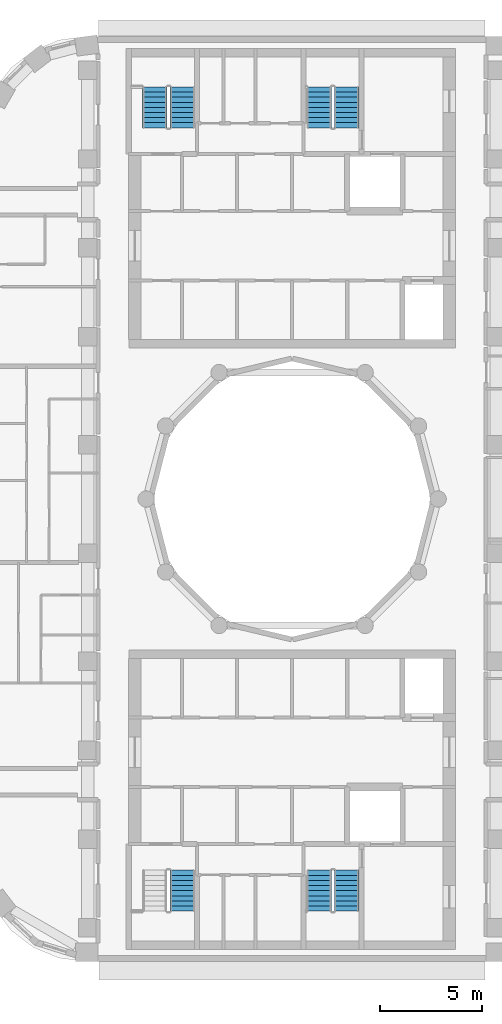
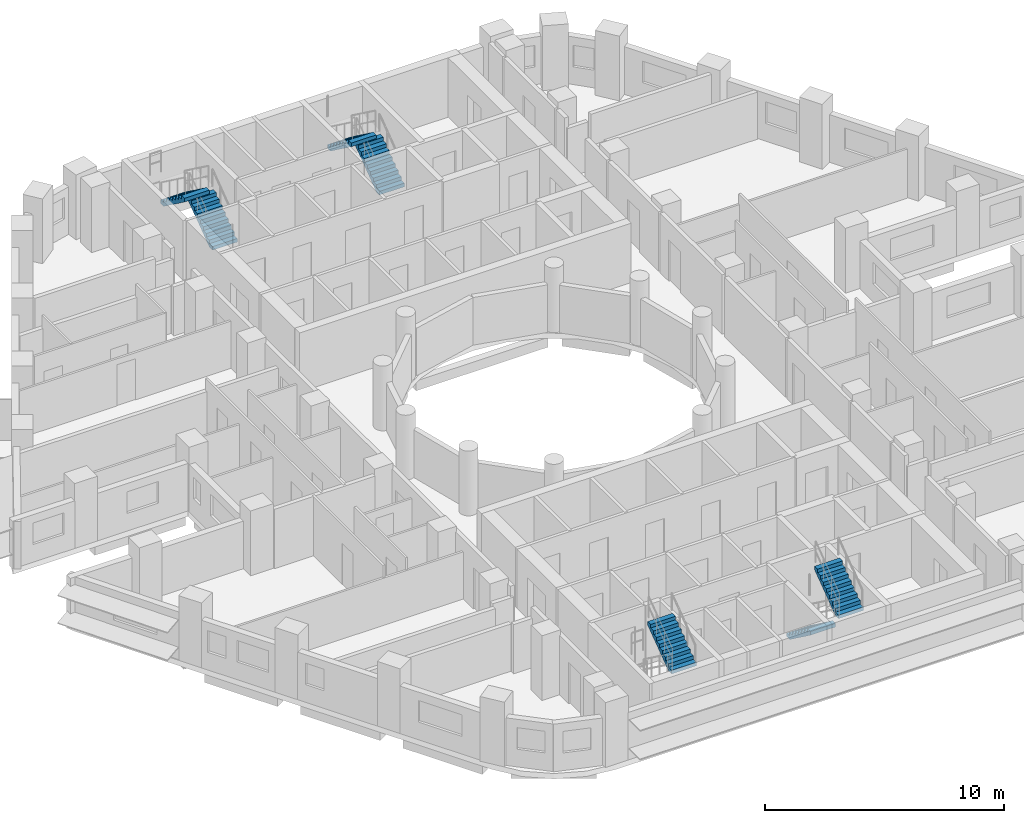
# One storey, part 9 of 13: 7 stair flights, 4 elements without a shape of their own.
"""IFC4 building model written with IfcOpenShell, lengths in metres."""

from ifc_helpers import new_model, si_unit, direction, frame, origin, place, context, subcontext, project, spatial, polyline, outline, extrude, material, type_object, element, aggregate, save


model = new_model("IFC4")

# Units and contexts
model_context = context("Model", 3, precision=1e-05, world=origin(), true_north=direction((0.0, 1.0)))
body_context = subcontext(model_context, "Body", "Model", "MODEL_VIEW")
ifc_project = project(units=[si_unit("LENGTHUNIT", "METRE"), si_unit("AREAUNIT", "SQUARE_METRE"), si_unit("VOLUMEUNIT", "CUBIC_METRE"), si_unit("PLANEANGLEUNIT", "RADIAN"), si_unit("MASSUNIT", "GRAM", prefix="KILO")], contexts=[model_context])

# Site, building, storey
site_placement = place(None, origin())
site = spatial("IfcSite", under=ifc_project, at=site_placement, CompositionType="ELEMENT")
building_placement = place(site_placement, origin())
building = spatial("IfcBuilding", under=site, at=building_placement, Name="Nakaniwa Court", CompositionType="ELEMENT")
storey_placement = place(building_placement, frame((0.0, 0.0, 242.699951171875)))
storey = spatial("IfcBuildingStorey", under=building, at=storey_placement, Name="L63", CompositionType="ELEMENT", Elevation=242.699951171875)

# Stair, stair flights
ifc_material = material(Name="Concrete C80/100", Category="concrete")
stair_type = type_object("IfcStairType", Name="Dog leg stair 1200 wide 18 risers", PredefinedType="HALF_TURN_STAIR", material=ifc_material)
stair_1_placement = place(storey_placement, origin())
stair_1 = element("IfcStair", 1, at=stair_1_placement, inside=storey, type_object=stair_type, Name="L63 Stair ST1", PredefinedType="HALF_TURN_STAIR")
stair_flight_type = type_object("IfcStairFlightType", Name="Stair flight 1200 wide 9 risers", PredefinedType="STRAIGHT", material=ifc_material)
stair_flight_1_placement = place(storey_placement, frame((74.625, 98.175048828125, 0.0), z_axis=(0.0, 0.0, 1.0), x_axis=(0.0, 1.0, 0.0)))
stair_flight_1 = element("IfcStairFlight", 2, at=stair_flight_1_placement, type_object=stair_flight_type, Name="ST1 flight 1", NumberOfRisers=9, NumberOfTreads=8, PredefinedType="STRAIGHT", RiserHeight=0.183333333, TreadLength=0.25, context=body_context, shape_type="SweptSolid", body=[
    extrude(outline(polyline([(0.0, 0.0), (0.0, 0.026123046875), (0.0, 0.052490234375), (0.0, 0.07861328125), (0.0, 0.104736328125), (0.0, 0.130859375), (0.0, 0.1572265625), (0.0, 0.183349609375), (0.25, 0.183349609375), (0.25, 0.36669921875), (0.5, 0.36669921875), (0.5, 0.550048828125), (0.75, 0.550048828125), (0.75, 0.7333984375), (1.0, 0.7333984375), (1.0, 0.916748046875), (1.25, 0.916748046875), (1.25, 1.10009765625), (1.5, 1.10009765625), (1.5, 1.283447265625), (1.75, 1.283447265625), (1.75, 1.466552734375), (2.0, 1.466552734375), (2.0, 1.64990234375), (2.0, 1.59716796875), (2.0, 1.54443359375), (2.0, 1.49169921875), (2.0, 1.43896484375), (2.0, 1.38623046875), (2.0, 1.33349609375), (2.0, 1.28076171875), (0.25341796875, 0.0), (0.0, 0.0)])), frame((0.0, 0.60009765625, 0.0), z_axis=(0.0, -1.0, 0.0), x_axis=(1.0, 0.0, 0.0)), (0.0, 0.0, 1.0), 1.199951171875),
])
stair_flight_2_placement = place(storey_placement, frame((73.27490234375, 100.175048828125, 1.650146484375), z_axis=(0.0, 0.0, 1.0), x_axis=(0.0, -1.0, 0.0)))
stair_flight_2 = element("IfcStairFlight", 3, at=stair_flight_2_placement, type_object=stair_flight_type, Name="ST1 flight 2", NumberOfRisers=9, NumberOfTreads=8, PredefinedType="STRAIGHT", RiserHeight=0.183333333, TreadLength=0.25, context=body_context, shape_type="SweptSolid", body=[
    extrude(outline(polyline([(0.0, 0.0), (0.0, 0.026123046875), (0.0, 0.052490234375), (0.0, 0.07861328125), (0.0, 0.104736328125), (0.0, 0.130859375), (0.0, 0.1572265625), (0.0, 0.183349609375), (0.25, 0.183349609375), (0.25, 0.36669921875), (0.5, 0.36669921875), (0.5, 0.550048828125), (0.75, 0.550048828125), (0.75, 0.7333984375), (1.0, 0.7333984375), (1.0, 0.916748046875), (1.25, 0.916748046875), (1.25, 1.10009765625), (1.5, 1.10009765625), (1.5, 1.283447265625), (1.75, 1.283447265625), (1.75, 1.466552734375), (2.0, 1.466552734375), (2.0, 1.64990234375), (2.0, 1.59716796875), (2.0, 1.54443359375), (2.0, 1.49169921875), (2.0, 1.43896484375), (2.0, 1.38623046875), (2.0, 1.33349609375), (2.0, 1.28076171875), (0.25341796875, 0.0), (0.0, 0.0)])), frame((0.0, 0.60009765625, 0.0), z_axis=(0.0, -1.0, 0.0), x_axis=(1.0, 0.0, 0.0)), (0.0, 0.0, 1.0), 1.199951171875),
])
aggregate(stair_1, [stair_flight_1, stair_flight_2])

stair_2_placement = place(storey_placement, origin())
stair_2 = element("IfcStair", 4, at=stair_2_placement, inside=storey, type_object=stair_type, Name="L63 Stair ST2", PredefinedType="HALF_TURN_STAIR")
stair_flight_3_placement = place(storey_placement, frame((82.675048828125, 98.175048828125, 0.0), z_axis=(0.0, 0.0, 1.0), x_axis=(0.0, 1.0, 0.0)))
stair_flight_3 = element("IfcStairFlight", 5, at=stair_flight_3_placement, type_object=stair_flight_type, Name="ST2 flight 1", NumberOfRisers=9, NumberOfTreads=8, PredefinedType="STRAIGHT", RiserHeight=0.183333333, TreadLength=0.25, context=body_context, shape_type="SweptSolid", body=[
    extrude(outline(polyline([(0.0, 0.0), (0.0, 0.026123046875), (0.0, 0.052490234375), (0.0, 0.07861328125), (0.0, 0.104736328125), (0.0, 0.130859375), (0.0, 0.1572265625), (0.0, 0.183349609375), (0.25, 0.183349609375), (0.25, 0.36669921875), (0.5, 0.36669921875), (0.5, 0.550048828125), (0.75, 0.550048828125), (0.75, 0.7333984375), (1.0, 0.7333984375), (1.0, 0.916748046875), (1.25, 0.916748046875), (1.25, 1.10009765625), (1.5, 1.10009765625), (1.5, 1.283447265625), (1.75, 1.283447265625), (1.75, 1.466552734375), (2.0, 1.466552734375), (2.0, 1.64990234375), (2.0, 1.59716796875), (2.0, 1.54443359375), (2.0, 1.49169921875), (2.0, 1.43896484375), (2.0, 1.38623046875), (2.0, 1.33349609375), (2.0, 1.28076171875), (0.25341796875, 0.0), (0.0, 0.0)])), frame((0.0, 0.60009765625, 0.0), z_axis=(0.0, -1.0, 0.0), x_axis=(1.0, 0.0, 0.0)), (0.0, 0.0, 1.0), 1.199951171875),
])
stair_flight_4_placement = place(storey_placement, frame((81.324951171875, 100.175048828125, 1.650146484375), z_axis=(0.0, 0.0, 1.0), x_axis=(0.0, -1.0, 0.0)))
stair_flight_4 = element("IfcStairFlight", 6, at=stair_flight_4_placement, type_object=stair_flight_type, Name="ST2 flight 2", NumberOfRisers=9, NumberOfTreads=8, PredefinedType="STRAIGHT", RiserHeight=0.183333333, TreadLength=0.25, context=body_context, shape_type="SweptSolid", body=[
    extrude(outline(polyline([(0.0, 0.0), (0.0, 0.026123046875), (0.0, 0.052490234375), (0.0, 0.07861328125), (0.0, 0.104736328125), (0.0, 0.130859375), (0.0, 0.1572265625), (0.0, 0.183349609375), (0.25, 0.183349609375), (0.25, 0.36669921875), (0.5, 0.36669921875), (0.5, 0.550048828125), (0.75, 0.550048828125), (0.75, 0.7333984375), (1.0, 0.7333984375), (1.0, 0.916748046875), (1.25, 0.916748046875), (1.25, 1.10009765625), (1.5, 1.10009765625), (1.5, 1.283447265625), (1.75, 1.283447265625), (1.75, 1.466552734375), (2.0, 1.466552734375), (2.0, 1.64990234375), (2.0, 1.59716796875), (2.0, 1.54443359375), (2.0, 1.49169921875), (2.0, 1.43896484375), (2.0, 1.38623046875), (2.0, 1.33349609375), (2.0, 1.28076171875), (0.25341796875, 0.0), (0.0, 0.0)])), frame((0.0, 0.60009765625, 0.0), z_axis=(0.0, -1.0, 0.0), x_axis=(1.0, 0.0, 0.0)), (0.0, 0.0, 1.0), 1.199951171875),
])
aggregate(stair_2, [stair_flight_3, stair_flight_4])

# Stair, stair flight
stair_3_placement = place(storey_placement, origin())
stair_3 = element("IfcStair", 7, at=stair_3_placement, inside=storey, type_object=stair_type, Name="L63 Stair ST3", PredefinedType="HALF_TURN_STAIR")
stair_flight_5_placement = place(storey_placement, frame((74.625, 59.824951171875, 1.650146484375), z_axis=(0.0, 0.0, 1.0), x_axis=(0.0, 1.0, 0.0)))
stair_flight_5 = element("IfcStairFlight", 8, at=stair_flight_5_placement, type_object=stair_flight_type, Name="ST3 flight 2", NumberOfRisers=9, NumberOfTreads=8, PredefinedType="STRAIGHT", RiserHeight=0.183333333, TreadLength=0.25, context=body_context, shape_type="SweptSolid", body=[
    extrude(outline(polyline([(0.0, 0.0), (0.0, 0.026123046875), (0.0, 0.052490234375), (0.0, 0.07861328125), (0.0, 0.104736328125), (0.0, 0.130859375), (0.0, 0.1572265625), (0.0, 0.183349609375), (0.25, 0.183349609375), (0.25, 0.36669921875), (0.5, 0.36669921875), (0.5, 0.550048828125), (0.75, 0.550048828125), (0.75, 0.7333984375), (1.0, 0.7333984375), (1.0, 0.916748046875), (1.25, 0.916748046875), (1.25, 1.10009765625), (1.5, 1.10009765625), (1.5, 1.283447265625), (1.75, 1.283447265625), (1.75, 1.466552734375), (2.0, 1.466552734375), (2.0, 1.64990234375), (2.0, 1.59716796875), (2.0, 1.54443359375), (2.0, 1.49169921875), (2.0, 1.43896484375), (2.0, 1.38623046875), (2.0, 1.33349609375), (2.0, 1.28076171875), (0.25341796875, 0.0), (0.0, 0.0)])), frame((0.0, 0.60009765625, 0.0), z_axis=(0.0, -1.0, 0.0), x_axis=(1.0, 0.0, 0.0)), (0.0, 0.0, 1.0), 1.199951171875),
])
aggregate(stair_3, [stair_flight_5])

# Stair, stair flights
stair_4_placement = place(storey_placement, origin())
stair_4 = element("IfcStair", 9, at=stair_4_placement, inside=storey, type_object=stair_type, Name="L63 Stair ST4", PredefinedType="HALF_TURN_STAIR")
stair_flight_6_placement = place(storey_placement, frame((81.324951171875, 61.824951171875, 0.0), z_axis=(0.0, 0.0, 1.0), x_axis=(0.0, -1.0, 0.0)))
stair_flight_6 = element("IfcStairFlight", 10, at=stair_flight_6_placement, type_object=stair_flight_type, Name="ST4 flight 1", NumberOfRisers=9, NumberOfTreads=8, PredefinedType="STRAIGHT", RiserHeight=0.183333333, TreadLength=0.25, context=body_context, shape_type="SweptSolid", body=[
    extrude(outline(polyline([(0.0, 0.0), (0.0, 0.026123046875), (0.0, 0.052490234375), (0.0, 0.07861328125), (0.0, 0.104736328125), (0.0, 0.130859375), (0.0, 0.1572265625), (0.0, 0.183349609375), (0.25, 0.183349609375), (0.25, 0.36669921875), (0.5, 0.36669921875), (0.5, 0.550048828125), (0.75, 0.550048828125), (0.75, 0.7333984375), (1.0, 0.7333984375), (1.0, 0.916748046875), (1.25, 0.916748046875), (1.25, 1.10009765625), (1.5, 1.10009765625), (1.5, 1.283447265625), (1.75, 1.283447265625), (1.75, 1.466552734375), (2.0, 1.466552734375), (2.0, 1.64990234375), (2.0, 1.59716796875), (2.0, 1.54443359375), (2.0, 1.49169921875), (2.0, 1.43896484375), (2.0, 1.38623046875), (2.0, 1.33349609375), (2.0, 1.28076171875), (0.25341796875, 0.0), (0.0, 0.0)])), frame((0.0, 0.60009765625, 0.0), z_axis=(0.0, -1.0, 0.0), x_axis=(1.0, 0.0, 0.0)), (0.0, 0.0, 1.0), 1.199951171875),
])
stair_flight_7_placement = place(storey_placement, frame((82.675048828125, 59.824951171875, 1.650146484375), z_axis=(0.0, 0.0, 1.0), x_axis=(0.0, 1.0, 0.0)))
stair_flight_7 = element("IfcStairFlight", 11, at=stair_flight_7_placement, type_object=stair_flight_type, Name="ST4 flight 2", NumberOfRisers=9, NumberOfTreads=8, PredefinedType="STRAIGHT", RiserHeight=0.183333333, TreadLength=0.25, context=body_context, shape_type="SweptSolid", body=[
    extrude(outline(polyline([(0.0, 0.0), (0.0, 0.026123046875), (0.0, 0.052490234375), (0.0, 0.07861328125), (0.0, 0.104736328125), (0.0, 0.130859375), (0.0, 0.1572265625), (0.0, 0.183349609375), (0.25, 0.183349609375), (0.25, 0.36669921875), (0.5, 0.36669921875), (0.5, 0.550048828125), (0.75, 0.550048828125), (0.75, 0.7333984375), (1.0, 0.7333984375), (1.0, 0.916748046875), (1.25, 0.916748046875), (1.25, 1.10009765625), (1.5, 1.10009765625), (1.5, 1.283447265625), (1.75, 1.283447265625), (1.75, 1.466552734375), (2.0, 1.466552734375), (2.0, 1.64990234375), (2.0, 1.59716796875), (2.0, 1.54443359375), (2.0, 1.49169921875), (2.0, 1.43896484375), (2.0, 1.38623046875), (2.0, 1.33349609375), (2.0, 1.28076171875), (0.25341796875, 0.0), (0.0, 0.0)])), frame((0.0, 0.60009765625, 0.0), z_axis=(0.0, -1.0, 0.0), x_axis=(1.0, 0.0, 0.0)), (0.0, 0.0, 1.0), 1.199951171875),
])
aggregate(stair_4, [stair_flight_6, stair_flight_7])

save(model, "model.ifc")
